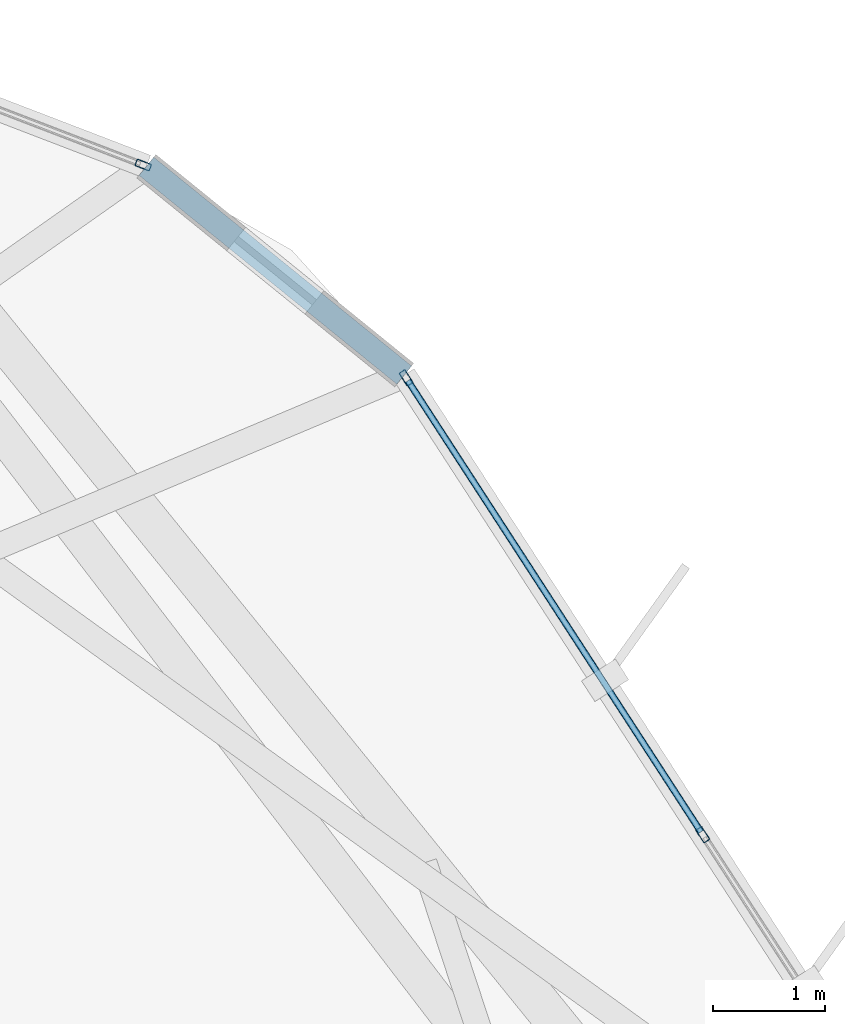
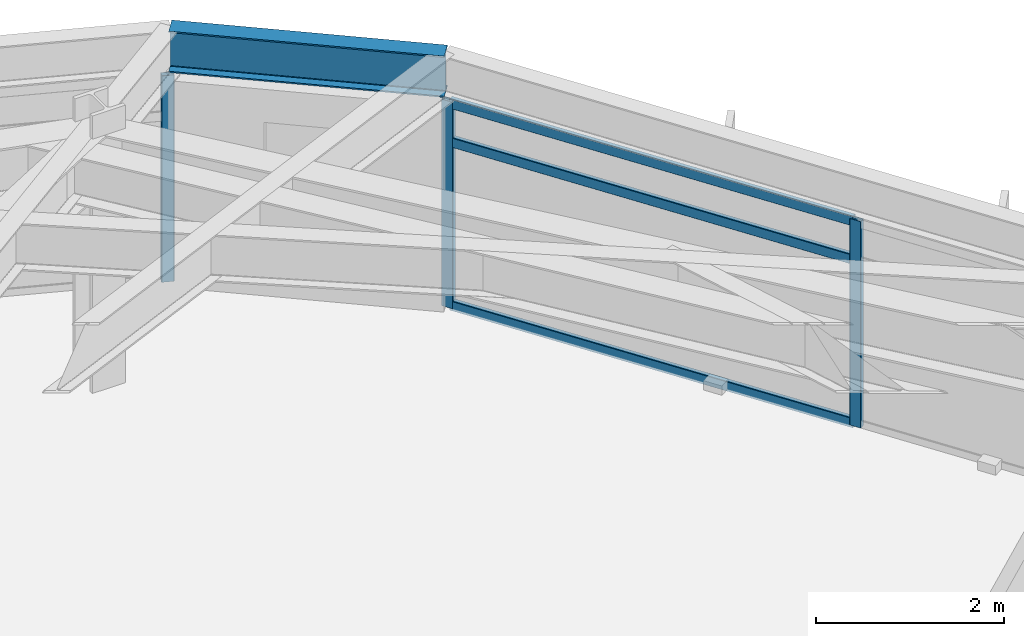
# One storey, part 22 of 29: 6 members, 1 beam, 2 elements without a shape of their own.
"""IFC4 building model written with IfcOpenShell, lengths in metres."""

from ifc_helpers import new_model, si_unit, direction, frame, origin, origin_2d, place, context, subcontext, project, spatial, hollow_rectangle, i_section, extrude, material, layer, layer_set, material_profile, profile_set, type_object, element, aggregate, save


model = new_model("IFC4")

# Units and contexts
model_context = context("Model", 3, precision=1e-05, world=origin(), true_north=direction((0.0, 1.0)))
body_context = subcontext(model_context, "Body", "Model", "MODEL_VIEW")
ifc_project = project(units=[si_unit("LENGTHUNIT", "METRE"), si_unit("AREAUNIT", "SQUARE_METRE"), si_unit("VOLUMEUNIT", "CUBIC_METRE"), si_unit("PLANEANGLEUNIT", "RADIAN"), si_unit("MASSUNIT", "GRAM", prefix="KILO")], contexts=[model_context])

# Site, building, storey
site_placement = place(None, origin())
site = spatial("IfcSite", under=ifc_project, at=site_placement, CompositionType="ELEMENT")
building_placement = place(site_placement, origin())
building = spatial("IfcBuilding", under=site, at=building_placement, Name="Soratama Intermodal Tower", CompositionType="ELEMENT")
storey_placement = place(building_placement, frame((0.0, 0.0, 219.39990234375)))
storey = spatial("IfcBuildingStorey", under=building, at=storey_placement, Name="L55", CompositionType="ELEMENT", Elevation=219.39990234375)

# Beam
ifc_material_1 = material(Name="Structural steel ASTM A992 Grade 50", Category="steel")
ifc_material_profile_1 = material_profile(ifc_material_1, i_section(OverallWidth=0.2099609375, OverallDepth=0.537109375, WebThickness=0.010986328125, FlangeThickness=0.017333984375, FilletRadius=0.012939453125, at=origin_2d()), Name="W21X68")
ifc_profile_set_1 = profile_set([ifc_material_profile_1], Name="Structural steel ASTM A992 Grade 50")
beam_type = type_object("IfcBeamType", Name="BM-SPN-W21X68", PredefinedType="SPANDREL", material=ifc_profile_set_1)
beam_placement = place(storey_placement, frame((59.001953125, 39.93408203125, 3.031494140625), z_axis=(-0.777072332391, 0.629411304501, 0.0), x_axis=(-0.629411304501, -0.777072332391, 0.0)))
element("IfcBeam", 1, at=beam_placement, inside=storey, type_object=beam_type, Name="BS-L55-CRN10", PredefinedType="SPANDREL", context=body_context, shape_type="SweptSolid", body=[
    extrude(i_section(OverallWidth=0.2099609375, OverallDepth=0.537109375, WebThickness=0.010986328125, FlangeThickness=0.017333984375, FilletRadius=0.012939453125, at=origin_2d()), origin(), (0.0, 0.0, 1.0), 2.966064453125),
])

# Curtain wall, member
ifc_material_2 = material(Name="Double-glazed aluminium curtain wall", Category="aluminium")
ifc_layer = layer(ifc_material_2, 0.159912109375)
ifc_layer_set = layer_set([ifc_layer], Name="Double-glazed aluminium curtain wall")
curtain_wall_type = type_object("IfcCurtainWallType", Name="CW-SYS-5", PredefinedType="NOTDEFINED", material=ifc_layer_set)
curtain_wall_1_placement = place(storey_placement, origin())
curtain_wall_1 = element("IfcCurtainWall", 2, at=curtain_wall_1_placement, inside=storey, type_object=curtain_wall_type, Name="L55 Faceted Curtain Wall F01", PredefinedType="NOTDEFINED")
ifc_material_3 = material(Name="Anodised aluminium AA 6063-T6", Category="aluminium")
ifc_material_profile_2 = material_profile(ifc_material_3, hollow_rectangle(XDim=0.06494140625, YDim=0.139892578125, WallThickness=0.0048828125, InnerFilletRadius=0.0048828125, OuterFilletRadius=0.010009765625, at=origin_2d()), Name="CWM140X65X5")
ifc_profile_set_2 = profile_set([ifc_material_profile_2], Name="Anodised aluminium AA 6063-T6")
member_type_1 = type_object("IfcMemberType", Name="MT-CWM-5", PredefinedType="MULLION", material=ifc_profile_set_2)
member_1_placement = place(storey_placement, frame((56.668701171875, 41.81201171875, 0.0), z_axis=(0.0, 0.0, 1.0), x_axis=(-0.358358668826, -0.933583988978, 0.0)))
member_1 = element("IfcMember", 3, at=member_1_placement, type_object=member_type_1, Name="CW-5 mullion 1", PredefinedType="MULLION", context=body_context, shape_type="SweptSolid", body=[
    extrude(hollow_rectangle(XDim=0.06494140625, YDim=0.139892578125, WallThickness=0.0048828125, InnerFilletRadius=0.0048828125, OuterFilletRadius=0.010009765625, at=origin_2d()), origin(), (0.0, 0.0, 1.0), 2.67919921875),
])
aggregate(curtain_wall_1, [member_1])

# Curtain wall, members
curtain_wall_2_placement = place(storey_placement, origin())
curtain_wall_2 = element("IfcCurtainWall", 4, at=curtain_wall_2_placement, inside=storey, type_object=curtain_wall_type, Name="L55 Faceted Curtain Wall F10", PredefinedType="NOTDEFINED")
member_2_placement = place(storey_placement, frame((61.67041015625, 35.82568359375, 0.0), z_axis=(0.0, 0.0, 1.0), x_axis=(-0.838669737789, -0.544640313342, 0.0)))
member_2 = element("IfcMember", 5, at=member_2_placement, type_object=member_type_1, Name="CW-5 mullion 2", PredefinedType="MULLION", context=body_context, shape_type="SweptSolid", body=[
    extrude(hollow_rectangle(XDim=0.06494140625, YDim=0.139892578125, WallThickness=0.0048828125, InnerFilletRadius=0.0048828125, OuterFilletRadius=0.010009765625, at=origin_2d()), origin(), (0.0, 0.0, 1.0), 2.67919921875),
])
member_3_placement = place(storey_placement, frame((59.0185546875, 39.9091796875, 0.0), z_axis=(0.0, 0.0, 1.0), x_axis=(-0.838669737789, -0.544640313342, 0.0)))
member_3 = element("IfcMember", 6, at=member_3_placement, type_object=member_type_1, Name="CW-5 mullion 3", PredefinedType="MULLION", context=body_context, shape_type="SweptSolid", body=[
    extrude(hollow_rectangle(XDim=0.06494140625, YDim=0.139892578125, WallThickness=0.0048828125, InnerFilletRadius=0.0048828125, OuterFilletRadius=0.010009765625, at=origin_2d()), origin(), (0.0, 0.0, 1.0), 2.67919921875),
])
ifc_material_4 = material(Name="Anodised aluminium AA 6063-T6", Category="aluminium")
ifc_material_profile_3 = material_profile(ifc_material_4, hollow_rectangle(XDim=0.06005859375, YDim=0.1298828125, WallThickness=0.0048828125, InnerFilletRadius=0.0048828125, OuterFilletRadius=0.010009765625, at=origin_2d()), Name="CWT130X60X5")
ifc_profile_set_3 = profile_set([ifc_material_profile_3], Name="Anodised aluminium AA 6063-T6")
member_type_2 = type_object("IfcMemberType", Name="TT-CWT-2", PredefinedType="USERDEFINED", material=ifc_profile_set_3)
member_4_placement = place(storey_placement, frame((61.654052734375, 35.85107421875, 0.030029296875), z_axis=(-0.544654603171, 0.838660457661, 0.0), x_axis=(-0.838660457661, -0.544654603171, 0.0)))
member_4 = element("IfcMember", 7, at=member_4_placement, type_object=member_type_2, Name="CW-5 transom 2.1", ObjectType="TRANSOM", PredefinedType="USERDEFINED", context=body_context, shape_type="SweptSolid", body=[
    extrude(hollow_rectangle(XDim=0.06005859375, YDim=0.1298828125, WallThickness=0.0048828125, InnerFilletRadius=0.0048828125, OuterFilletRadius=0.010009765625, at=origin_2d()), origin(), (0.0, 0.0, 1.0), 4.808837890625),
])
member_5_placement = place(storey_placement, frame((61.654052734375, 35.85107421875, 2.150146484375), z_axis=(-0.544654603171, 0.838660457661, 0.0), x_axis=(-0.838660457661, -0.544654603171, 0.0)))
member_5 = element("IfcMember", 8, at=member_5_placement, type_object=member_type_2, Name="CW-5 transom 2.2", ObjectType="TRANSOM", PredefinedType="USERDEFINED", context=body_context, shape_type="SweptSolid", body=[
    extrude(hollow_rectangle(XDim=0.06005859375, YDim=0.1298828125, WallThickness=0.0048828125, InnerFilletRadius=0.0048828125, OuterFilletRadius=0.010009765625, at=origin_2d()), origin(), (0.0, 0.0, 1.0), 4.808837890625),
])
member_6_placement = place(storey_placement, frame((61.654052734375, 35.85107421875, 2.649169921875), z_axis=(-0.544654603171, 0.838660457661, 0.0), x_axis=(-0.838660457661, -0.544654603171, 0.0)))
member_6 = element("IfcMember", 9, at=member_6_placement, type_object=member_type_2, Name="CW-5 transom 2.3", ObjectType="TRANSOM", PredefinedType="USERDEFINED", context=body_context, shape_type="SweptSolid", body=[
    extrude(hollow_rectangle(XDim=0.06005859375, YDim=0.1298828125, WallThickness=0.0048828125, InnerFilletRadius=0.0048828125, OuterFilletRadius=0.010009765625, at=origin_2d()), origin(), (0.0, 0.0, 1.0), 4.808837890625),
])
aggregate(curtain_wall_2, [member_2, member_3, member_4, member_5, member_6])

save(model, "model.ifc")
